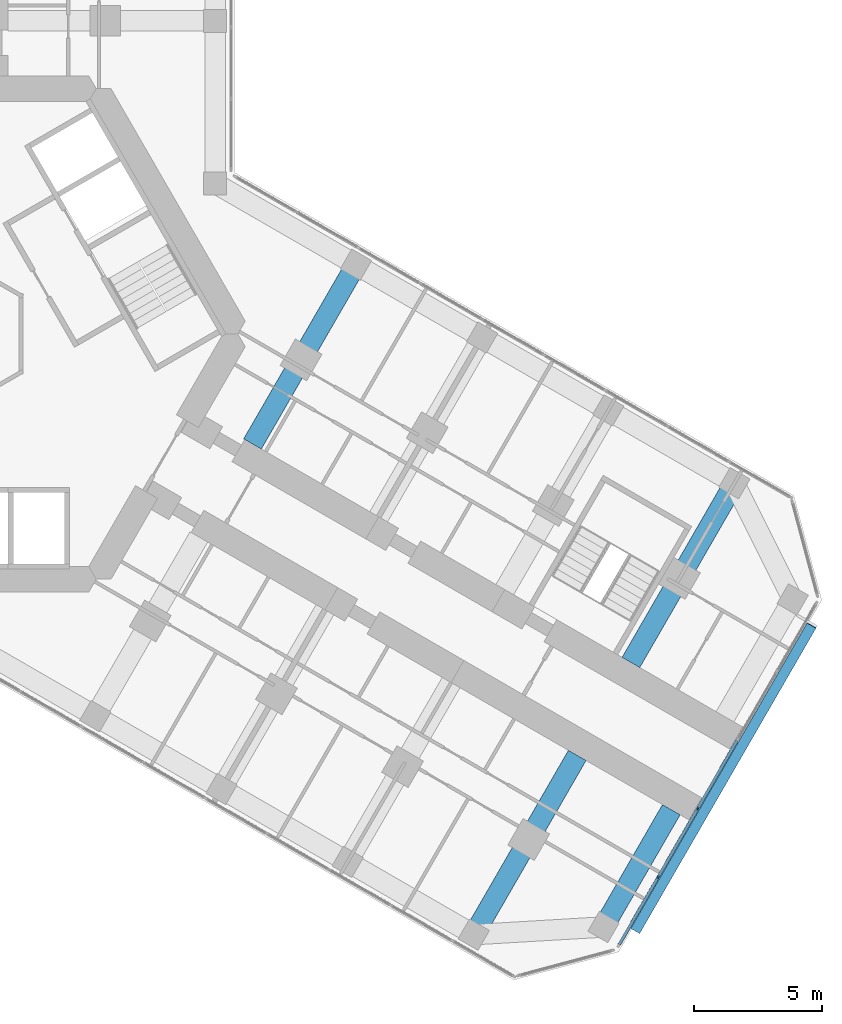
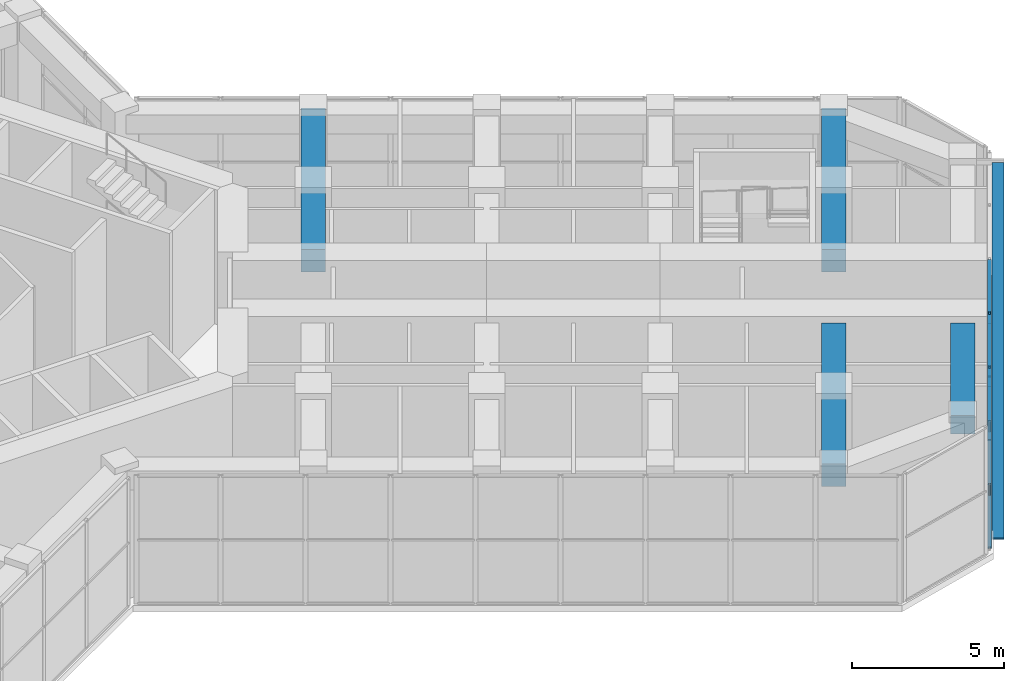
# One storey, part 6 of 23: 12 members, 4 beams, 1 element without a shape of its own.
"""IFC4 building model written with IfcOpenShell, lengths in metres."""

from ifc_helpers import new_model, si_unit, direction, frame, origin, origin_2d, place, context, subcontext, project, spatial, rectangle, extrude, material, material_profile, profile_set, type_object, element, aggregate, save


model = new_model("IFC4")

# Units and contexts
model_context = context("Model", 3, precision=1e-05, world=origin(), true_north=direction((0.0, 1.0)))
body_context = subcontext(model_context, "Body", "Model", "MODEL_VIEW")
ifc_project = project(units=[si_unit("LENGTHUNIT", "METRE"), si_unit("AREAUNIT", "SQUARE_METRE"), si_unit("VOLUMEUNIT", "CUBIC_METRE"), si_unit("PLANEANGLEUNIT", "RADIAN"), si_unit("MASSUNIT", "GRAM", prefix="KILO")], contexts=[model_context])

# Site, building, storey
site_placement = place(None, origin())
site = spatial("IfcSite", under=ifc_project, at=site_placement, CompositionType="ELEMENT")
building_placement = place(site_placement, origin())
building = spatial("IfcBuilding", under=site, at=building_placement, Name="Kosmar Iwan School Tower", CompositionType="ELEMENT")
storey_placement = place(building_placement, frame((0.0, 0.0, 75.39990234375)))
storey = spatial("IfcBuildingStorey", under=building, at=storey_placement, Name="L18", CompositionType="ELEMENT", Elevation=75.39990234375)

# Member
ifc_material_1 = material(Name="Black anodised aluminium", Category="aluminium")
ifc_material_profile_1 = material_profile(ifc_material_1, rectangle(XDim=0.10009765625, YDim=0.39990234375, at=origin_2d()), Name="FIN 100x400")
ifc_profile_set_1 = profile_set([ifc_material_profile_1], Name="Black anodised aluminium")
member_type_1 = type_object("IfcMemberType", Name="Diagonal fin 100x400", PredefinedType="USERDEFINED", material=ifc_profile_set_1)
member_1_placement = place(storey_placement, frame((26.645263671875, -23.34912109375, -0.14990234375), z_axis=(0.465600718069, 0.806459003444, 0.364472011405), x_axis=(-0.182233479836, -0.315643479142, 0.931214343157)))
element("IfcMember", 1, at=member_1_placement, inside=storey, type_object=member_type_1, Name="Diagonal fin L18-F03", ObjectType="FIN", PredefinedType="USERDEFINED", context=body_context, shape_type="SweptSolid", body=[
    extrude(rectangle(XDim=0.10009765625, YDim=0.39990234375, at=origin_2d()), origin(), (0.0, 0.0, 1.0), 14.815673828125),
])

# Curtain wall, members
ifc_material_2 = material(Name="Dark glass in black aluminium frame", Category="aluminium")
curtain_wall_type = type_object("IfcCurtainWallType", Name="Tower curtain wall dark glass", PredefinedType="USERDEFINED", material=ifc_material_2)
curtain_wall_placement = place(storey_placement, origin())
curtain_wall = element("IfcCurtainWall", 2, at=curtain_wall_placement, inside=storey, type_object=curtain_wall_type, Name="Curtain wall L18-F03", ObjectType="UNITISED CURTAIN WALL", PredefinedType="USERDEFINED")
ifc_material_3 = material(Name="Black anodised aluminium", Category="aluminium")
ifc_material_profile_2 = material_profile(ifc_material_3, rectangle(XDim=0.06005859375, YDim=0.159912109375, at=origin_2d()), Name="MULLION 60x160")
ifc_profile_set_2 = profile_set([ifc_material_profile_2], Name="Black anodised aluminium")
member_type_2 = type_object("IfcMemberType", Name="Mullion 60x160", PredefinedType="MULLION", material=ifc_profile_set_2)
member_2_placement = place(storey_placement, frame((27.53173828125, -21.263671875, 0.0), z_axis=(0.0, 0.0, 1.0), x_axis=(-0.866025405329, 0.499999997325, 0.0)))
member_2 = element("IfcMember", 3, at=member_2_placement, type_object=member_type_2, Name="CW1 mullion 2", PredefinedType="MULLION", context=body_context, shape_type="SweptSolid", body=[
    extrude(rectangle(XDim=0.06005859375, YDim=0.159912109375, at=origin_2d()), origin(), (0.0, 0.0, 1.0), 5.150146484375),
])
member_3_placement = place(storey_placement, frame((29.081298828125, -18.57958984375, 0.0), z_axis=(0.0, 0.0, 1.0), x_axis=(-0.866025405329, 0.499999997325, 0.0)))
member_3 = element("IfcMember", 4, at=member_3_placement, type_object=member_type_2, Name="CW1 mullion 3", PredefinedType="MULLION", context=body_context, shape_type="SweptSolid", body=[
    extrude(rectangle(XDim=0.06005859375, YDim=0.159912109375, at=origin_2d()), origin(), (0.0, 0.0, 1.0), 5.150146484375),
])

# Beams
ifc_material_4 = material(Name="Concrete C50/60", Category="concrete")
ifc_material_profile_3 = material_profile(ifc_material_4, rectangle(XDim=0.800048828125, YDim=0.75, at=origin_2d()), Name="RC 800x750")
ifc_profile_set_3 = profile_set([ifc_material_profile_3], Name="Concrete C50/60")
beam_type_1 = type_object("IfcBeamType", Name="RC tip beam 800x750", PredefinedType="BEAM", material=ifc_profile_set_3)
beam_placement = place(storey_placement, frame((25.3984375, -23.20849609375, 4.775146484375), z_axis=(0.499993606316, 0.866029095148, 0.0), x_axis=(-0.866029095148, 0.499993606316, 0.0)))
element("IfcBeam", 5, at=beam_placement, inside=storey, type_object=beam_type_1, Name="Tip beam CR to corridor wall", PredefinedType="BEAM", context=body_context, shape_type="SweptSolid", body=[
    extrude(rectangle(XDim=0.800048828125, YDim=0.75, at=origin_2d()), origin(), (0.0, 0.0, 1.0), 5.2998046875),
])
ifc_material_5 = material(Name="Concrete C50/60", Category="concrete")
ifc_material_profile_4 = material_profile(ifc_material_5, rectangle(XDim=0.800048828125, YDim=0.89990234375, at=origin_2d()), Name="RC 800x900")
ifc_profile_set_4 = profile_set([ifc_material_profile_4], Name="Concrete C50/60")
beam_type_2 = type_object("IfcBeamType", Name="RC transverse beam 800x900", PredefinedType="BEAM", material=ifc_profile_set_4)
for number, where, z_axis, x_axis, name in (
    (6, (15.708740234375, 2.70849609375, 4.7001953125), (-0.499999880539, -0.866025472755, 0.0), (0.866025472755, -0.499999880539, 0.0), "Transverse beam CL1"),
    (7, (30.517822265625, -5.841552734375, 4.7001953125), (-0.499999880539, -0.866025472755, 0.0), (0.866025472755, -0.499999880539, 0.0), "Transverse beam CL4"),
    (8, (20.31787109375, -23.508544921875, 4.7001953125), (0.499999880539, 0.866025472755, 0.0), (-0.866025472755, 0.499999880539, 0.0), "Transverse beam CR4"),
):
    element("IfcBeam", number, at=place(storey_placement, frame(where, z_axis=z_axis, x_axis=x_axis)), inside=storey, type_object=beam_type_2, Name=name, PredefinedType="BEAM", context=body_context, shape_type="SweptSolid", body=[
        extrude(rectangle(XDim=0.800048828125, YDim=0.89990234375, at=origin_2d()), origin(), (0.0, 0.0, 1.0), 8.10009765625),
    ])

# Member
ifc_material_6 = material(Name="Black anodised aluminium", Category="aluminium")
ifc_material_profile_5 = material_profile(ifc_material_6, rectangle(XDim=0.1201171875, YDim=0.06005859375, at=origin_2d()), Name="TRANSOM 60x120")
ifc_profile_set_5 = profile_set([ifc_material_profile_5], Name="Black anodised aluminium")
member_type_3 = type_object("IfcMemberType", Name="Transom 60x120", PredefinedType="USERDEFINED", material=ifc_profile_set_5)
member_4_placement = place(storey_placement, frame((26.01220703125, -23.895751953125, 0.030029296875), z_axis=(0.499986971506, 0.866032925658, 0.0), x_axis=(-0.866032925658, 0.499986971506, 0.0)))
member_4 = element("IfcMember", 9, at=member_4_placement, type_object=member_type_3, Name="CW1 transom 1.1", ObjectType="TRANSOM", PredefinedType="USERDEFINED", context=body_context, shape_type="SweptSolid", body=[
    extrude(rectangle(XDim=0.1201171875, YDim=0.06005859375, at=origin_2d()), origin(), (0.0, 0.0, 1.0), 3.00927734375),
])

member_5_placement = place(storey_placement, frame((26.01220703125, -23.895751953125, 2.5751953125), z_axis=(0.499986971506, 0.866032925658, 0.0), x_axis=(-0.866032925658, 0.499986971506, 0.0)))
member_5 = element("IfcMember", 10, at=member_5_placement, type_object=member_type_3, Name="CW1 transom 1.2", ObjectType="TRANSOM", PredefinedType="USERDEFINED", context=body_context, shape_type="SweptSolid", body=[
    extrude(rectangle(XDim=0.1201171875, YDim=0.06005859375, at=origin_2d()), origin(), (0.0, 0.0, 1.0), 3.00927734375),
])

member_6_placement = place(storey_placement, frame((26.01220703125, -23.895751953125, 5.1201171875), z_axis=(0.499986971506, 0.866032925658, 0.0), x_axis=(-0.866032925658, 0.499986971506, 0.0)))
member_6 = element("IfcMember", 11, at=member_6_placement, type_object=member_type_3, Name="CW1 transom 1.3", ObjectType="TRANSOM", PredefinedType="USERDEFINED", context=body_context, shape_type="SweptSolid", body=[
    extrude(rectangle(XDim=0.1201171875, YDim=0.06005859375, at=origin_2d()), origin(), (0.0, 0.0, 1.0), 3.00927734375),
])

member_7_placement = place(storey_placement, frame((27.546875, -21.237548828125, 0.030029296875), z_axis=(0.499975102327, 0.866039777986, 0.0), x_axis=(-0.866039777986, 0.499975102327, 0.0)))
member_7 = element("IfcMember", 12, at=member_7_placement, type_object=member_type_3, Name="CW1 transom 2.1", ObjectType="TRANSOM", PredefinedType="USERDEFINED", context=body_context, shape_type="SweptSolid", body=[
    extrude(rectangle(XDim=0.1201171875, YDim=0.06005859375, at=origin_2d()), origin(), (0.0, 0.0, 1.0), 3.039306640625),
])

member_8_placement = place(storey_placement, frame((27.546875, -21.237548828125, 2.5751953125), z_axis=(0.499975102327, 0.866039777986, 0.0), x_axis=(-0.866039777986, 0.499975102327, 0.0)))
member_8 = element("IfcMember", 13, at=member_8_placement, type_object=member_type_3, Name="CW1 transom 2.2", ObjectType="TRANSOM", PredefinedType="USERDEFINED", context=body_context, shape_type="SweptSolid", body=[
    extrude(rectangle(XDim=0.1201171875, YDim=0.06005859375, at=origin_2d()), origin(), (0.0, 0.0, 1.0), 3.039306640625),
])

member_9_placement = place(storey_placement, frame((27.546875, -21.237548828125, 5.1201171875), z_axis=(0.499975102327, 0.866039777986, 0.0), x_axis=(-0.866039777986, 0.499975102327, 0.0)))
member_9 = element("IfcMember", 14, at=member_9_placement, type_object=member_type_3, Name="CW1 transom 2.3", ObjectType="TRANSOM", PredefinedType="USERDEFINED", context=body_context, shape_type="SweptSolid", body=[
    extrude(rectangle(XDim=0.1201171875, YDim=0.06005859375, at=origin_2d()), origin(), (0.0, 0.0, 1.0), 3.039306640625),
])

member_10_placement = place(storey_placement, frame((29.096435546875, -18.553466796875, 0.030029296875), z_axis=(0.499975102327, 0.866039777986, 0.0), x_axis=(-0.866039777986, 0.499975102327, 0.0)))
member_10 = element("IfcMember", 15, at=member_10_placement, type_object=member_type_3, Name="CW1 transom 3.1", ObjectType="TRANSOM", PredefinedType="USERDEFINED", context=body_context, shape_type="SweptSolid", body=[
    extrude(rectangle(XDim=0.1201171875, YDim=0.06005859375, at=origin_2d()), origin(), (0.0, 0.0, 1.0), 3.039306640625),
])

member_11_placement = place(storey_placement, frame((29.096435546875, -18.553466796875, 2.5751953125), z_axis=(0.499975102327, 0.866039777986, 0.0), x_axis=(-0.866039777986, 0.499975102327, 0.0)))
member_11 = element("IfcMember", 16, at=member_11_placement, type_object=member_type_3, Name="CW1 transom 3.2", ObjectType="TRANSOM", PredefinedType="USERDEFINED", context=body_context, shape_type="SweptSolid", body=[
    extrude(rectangle(XDim=0.1201171875, YDim=0.06005859375, at=origin_2d()), origin(), (0.0, 0.0, 1.0), 3.039306640625),
])

member_12_placement = place(storey_placement, frame((29.096435546875, -18.553466796875, 5.1201171875), z_axis=(0.499975102327, 0.866039777986, 0.0), x_axis=(-0.866039777986, 0.499975102327, 0.0)))
member_12 = element("IfcMember", 17, at=member_12_placement, type_object=member_type_3, Name="CW1 transom 3.3", ObjectType="TRANSOM", PredefinedType="USERDEFINED", context=body_context, shape_type="SweptSolid", body=[
    extrude(rectangle(XDim=0.1201171875, YDim=0.06005859375, at=origin_2d()), origin(), (0.0, 0.0, 1.0), 3.039306640625),
])

aggregate(curtain_wall, [member_2, member_3, member_4, member_5, member_6, member_7, member_8, member_9, member_10, member_11, member_12])

save(model, "model.ifc")
